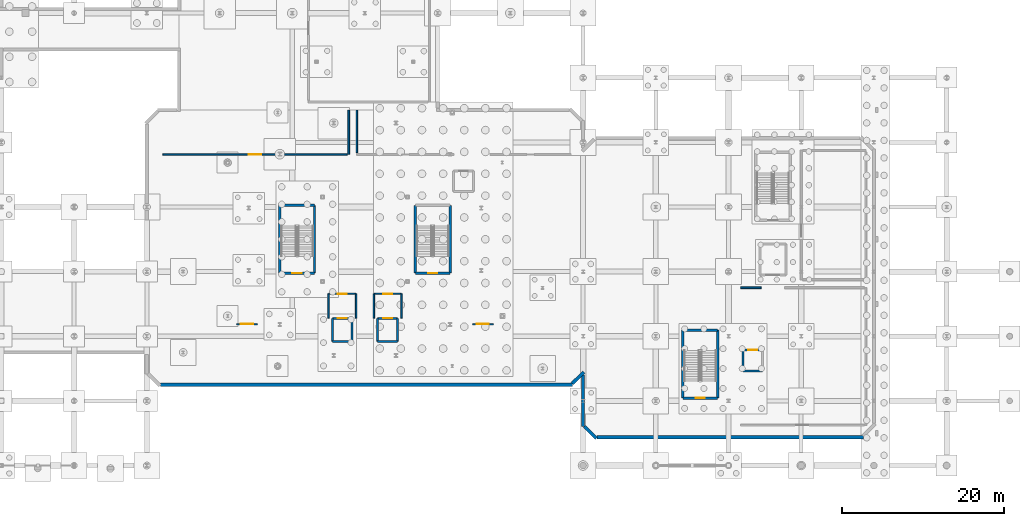
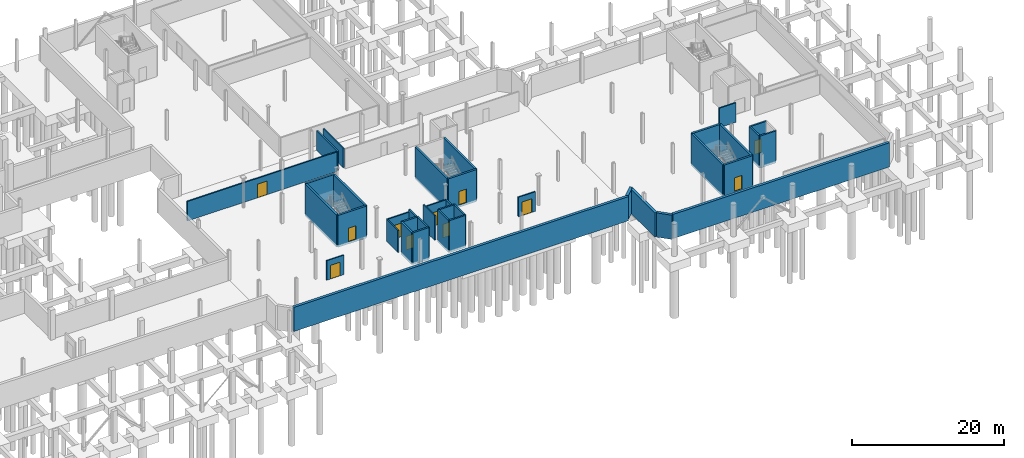
# One storey, part 26 of 37: 39 walls, 11 doors, 11 openings.
"""IFC4 building model written with IfcOpenShell, lengths in metres."""

import ifcopenshell
import ifcopenshell.guid

model = None  # the IFC model being written
_history = None  # IfcOwnerHistory: only IFC2X3 demands one
_inside = {}  # id of a spatial element -> (the spatial element, [elements in it])
_under = {}  # id of a project, library or spatial element -> (it, [spatial elements below it])
_declared = {}  # id of a project -> (the project, [libraries it declares])
_typed = {}  # id of a type object -> (the type object, [elements of that type])
_made_of = {}  # id of a material, layer set ... -> (it, [elements and type objects made of it])


def new_model(schema):
    """Start an empty IFC model of exactly this schema.

    Asked for "IFC4X3", IfcOpenShell would pick the latest addendum, in which some entities
    have other attributes; the version numbers below select the first issue.
    IFC2X3 requires an IfcOwnerHistory on every rooted entity: one is made here for all.
    """
    global model, _history
    if schema == "IFC4X3":
        model = ifcopenshell.file(schema_version=(4, 3, 0, 0))
    else:
        model = ifcopenshell.file(schema=schema)
    _inside.clear()
    _under.clear()
    _declared.clear()
    _typed.clear()
    _made_of.clear()
    _history = None
    if model.schema == "IFC2X3":
        org = make("IfcOrganization", Name="unknown")
        user = make(
            "IfcPersonAndOrganization",
            ThePerson=make("IfcPerson", FamilyName="unknown"),
            TheOrganization=org,
        )
        app = make(
            "IfcApplication",
            ApplicationDeveloper=org,
            Version="unknown",
            ApplicationFullName="unknown",
            ApplicationIdentifier="unknown",
        )
        _history = make(
            "IfcOwnerHistory",
            OwningUser=user,
            OwningApplication=app,
            ChangeAction="ADDED",
            CreationDate=0,
        )
    return model


def make(cls, **values):
    """One entity of the class cls with the attributes given. An attribute that is None is left unset."""
    return model.create_entity(
        cls, **{name: value for name, value in values.items() if value is not None}
    )


def rooted(cls, **values):
    """An entity with a GlobalId (a new one), such as an element, a storey or a relation."""
    return make(cls, GlobalId=ifcopenshell.guid.new(), OwnerHistory=_history, **values)


def si_unit(unit_type, name, prefix=None):
    """IfcSIUnit, for example si_unit("LENGTHUNIT", "METRE", prefix="MILLI")."""
    return make("IfcSIUnit", UnitType=unit_type, Prefix=prefix, Name=name)


def assignment(units):
    """IfcUnitAssignment: the units of a project."""
    return None if units is None else make("IfcUnitAssignment", Units=units)


def point(xyz):
    """IfcCartesianPoint."""
    return None if xyz is None else make("IfcCartesianPoint", Coordinates=xyz)


def direction(xyz):
    """IfcDirection."""
    return None if xyz is None else make("IfcDirection", DirectionRatios=xyz)


def frame(location, z_axis=None, x_axis=None):
    """IfcAxis2Placement3D, a coordinate frame: its origin and axes. An axis left out is left unset."""
    return make(
        "IfcAxis2Placement3D",
        Location=point(location),
        Axis=direction(z_axis),
        RefDirection=direction(x_axis),
    )


def frame_2d(location, x_axis=None):
    """IfcAxis2Placement2D, a coordinate frame in the plane: its origin and x axis."""
    return make(
        "IfcAxis2Placement2D", Location=point(location), RefDirection=direction(x_axis)
    )


def origin():
    """The frame at (0, 0, 0) with its axes left unset."""
    return frame((0.0, 0.0, 0.0))


def place(relative_to, where):
    """IfcLocalPlacement: puts the frame where relative to a parent placement (None: the world)."""
    return make(
        "IfcLocalPlacement", PlacementRelTo=relative_to, RelativePlacement=where
    )


def context(
    kind, dimensions, precision=None, world=None, true_north=None, identifier=None
):
    """IfcGeometricRepresentationContext, for example the 3D "Model" context."""
    return make(
        "IfcGeometricRepresentationContext",
        ContextIdentifier=identifier,
        ContextType=kind,
        CoordinateSpaceDimension=dimensions,
        Precision=precision,
        WorldCoordinateSystem=world,
        TrueNorth=true_north,
    )


def subcontext(parent, identifier, kind, view, scale=None):
    """IfcGeometricRepresentationSubContext, for example "Body" below "Model"."""
    return make(
        "IfcGeometricRepresentationSubContext",
        ContextIdentifier=identifier,
        ContextType=kind,
        ParentContext=parent,
        TargetScale=scale,
        TargetView=view,
    )


def project(units=None, contexts=None):
    """IfcProject with its units and contexts."""
    return rooted(
        "IfcProject",
        Name="project",
        RepresentationContexts=contexts,
        UnitsInContext=assignment(units),
    )


def spatial(cls, under=None, at=None, **own):
    """A site, building, storey or space (cls), placed at a placement, below another one or the project."""
    s = rooted(cls, ObjectPlacement=at, **own)
    if under is not None:
        _under.setdefault(under.id(), (under, []))[1].append(s)
    return s


def profile(cls, at=None, kind="AREA", **sizes):
    """A parametric profile (cls). Its sizes go by their IFC names, for example OverallWidth=200.0."""
    return make(cls, ProfileType=kind, Position=at, **sizes)


def rectangle(**sizes):
    """IfcRectangleProfileDef."""
    return profile("IfcRectangleProfileDef", **sizes)


def extrude(swept, where, along, depth):
    """IfcExtrudedAreaSolid: the profile swept, set in the frame where, extruded along a direction by depth."""
    return make(
        "IfcExtrudedAreaSolid",
        SweptArea=swept,
        Position=where,
        ExtrudedDirection=direction(along),
        Depth=depth,
    )


def shape(context_of_items, identifier, shape_type, items):
    """IfcShapeRepresentation: the items that make up one representation, for example the "Body"."""
    return make(
        "IfcShapeRepresentation",
        ContextOfItems=context_of_items,
        RepresentationIdentifier=identifier,
        RepresentationType=shape_type,
        Items=items,
    )


def material(Name=None, Category=None):
    """IfcMaterial."""
    return make("IfcMaterial", Name=Name, Category=Category)


def layer(
    of_material, thickness, ventilated=None, Name=None, Category=None, Priority=None
):
    """IfcMaterialLayer: one layer of a wall or slab, of a material (None: an air gap)."""
    return make(
        "IfcMaterialLayer",
        Material=of_material,
        LayerThickness=thickness,
        IsVentilated=ventilated,
        Name=Name,
        Category=Category,
        Priority=Priority,
    )


def layer_set(layers, Name=None):
    """IfcMaterialLayerSet."""
    return make("IfcMaterialLayerSet", MaterialLayers=layers, LayerSetName=Name)


def made_of(thing, what):
    """Note that an element or type object is made of a material, layer set ...; save() writes the relation."""
    if what is not None:
        _made_of.setdefault(what.id(), (what, []))[1].append(thing)
    return thing


def type_object(cls, material=None, **own):
    """A type object (cls), such as IfcWallType, which elements share."""
    return made_of(rooted(cls, **own), material)


def element(
    cls,
    number,
    at=None,
    inside=None,
    cuts=None,
    type_object=None,
    material=None,
    context=None,
    identifier="Body",
    shape_type=None,
    held_by="IfcProductDefinitionShape",
    body=None,
    shapes=None,
    **own,
):
    """One element of the class cls, such as IfcWall. Its Tag is "e" and its number.

    at: its placement. inside: the storey or other place that contains it. cuts: it is an
    opening in that element (IfcRelVoidsElement). A single representation is given by context,
    identifier, shape_type and body (its items); several are given by shapes. held_by: the class
    of the entity that holds the representations. save() writes the other relations.
    """
    e = rooted(cls, Tag="e%d" % number, ObjectPlacement=at, **own)
    if body is not None:
        shapes = [shape(context, identifier, shape_type, body)]
    if shapes is not None:
        e.Representation = make(held_by, Representations=shapes)
    if inside is not None:
        _inside.setdefault(inside.id(), (inside, []))[1].append(e)
    if cuts is not None:
        rooted(
            "IfcRelVoidsElement", RelatingBuildingElement=cuts, RelatedOpeningElement=e
        )
    if type_object is not None:
        _typed.setdefault(type_object.id(), (type_object, []))[1].append(e)
    return made_of(e, material)


def fill(opening, filler):
    """IfcRelFillsElement: the door or window that sits in an opening."""
    return rooted(
        "IfcRelFillsElement",
        RelatingOpeningElement=opening,
        RelatedBuildingElement=filler,
    )


def aggregate(whole, parts):
    """IfcRelAggregates: a whole, such as a stair, and the parts it consists of."""
    return rooted("IfcRelAggregates", RelatingObject=whole, RelatedObjects=parts)


def save(model, path):
    """Write the relations noted so far, then the file.

    IfcRelAggregates (storeys below a building ...), IfcRelContainedInSpatialStructure (elements
    in a storey), IfcRelDefinesByType, IfcRelAssociatesMaterial and IfcRelDeclares: one each for
    every whole, place, type object, material and project.
    """
    for whole, parts in _under.values():
        aggregate(whole, parts)
    for where, things in _inside.values():
        rooted(
            "IfcRelContainedInSpatialStructure",
            RelatedElements=things,
            RelatingStructure=where,
        )
    for kind, things in _typed.values():
        rooted("IfcRelDefinesByType", RelatedObjects=things, RelatingType=kind)
    for what, things in _made_of.values():
        rooted("IfcRelAssociatesMaterial", RelatedObjects=things, RelatingMaterial=what)
    for by, libraries in _declared.values():
        rooted("IfcRelDeclares", RelatingContext=by, RelatedDefinitions=libraries)
    model.write(path)


model = new_model("IFC4")

# Units and contexts
model_context = context("Model", 3, precision=1e-05, world=origin(), true_north=direction((0.0, 1.0)))
body_context = subcontext(model_context, "Body", "Model", "MODEL_VIEW")
ifc_project = project(units=[si_unit("LENGTHUNIT", "METRE"), si_unit("AREAUNIT", "SQUARE_METRE"), si_unit("VOLUMEUNIT", "CUBIC_METRE"), si_unit("PLANEANGLEUNIT", "RADIAN"), si_unit("MASSUNIT", "GRAM", prefix="KILO"), si_unit("THERMODYNAMICTEMPERATUREUNIT", "KELVIN"), si_unit("POWERUNIT", "WATT")], contexts=[model_context])

# Site, building, storey
site_placement = place(None, origin())
site = spatial("IfcSite", under=ifc_project, at=site_placement, CompositionType="ELEMENT")
building_placement = place(site_placement, origin())
building = spatial("IfcBuilding", under=site, at=building_placement, Name="Zelmaris Science Centre", CompositionType="ELEMENT")
storey_placement = place(building_placement, frame((0.0, 0.0, -4.800048828125)))
storey = spatial("IfcBuildingStorey", under=building, at=storey_placement, Name="B1", CompositionType="ELEMENT", Elevation=-4.800048828125)

# Wall, opening, door
ifc_material_1 = material(Name="Concrete C40/50", Category="concrete")
ifc_layer_1 = layer(ifc_material_1, 0.300048828125, Name="Concrete C40/50")
ifc_layer_set_1 = layer_set([ifc_layer_1], Name="Concrete C40/50")
wall_type_1 = type_object("IfcWallType", Name="Core Shear Wall CW-S1 300mm", PredefinedType="SOLIDWALL", material=ifc_layer_set_1)
wall_1_placement = place(storey_placement, frame((74.75, 31.800048828125, -0.349853515625), z_axis=(0.0, 0.0, 1.0), x_axis=(-1.0, 0.0, 0.0)))
wall_1 = element("IfcWall", 1, at=wall_1_placement, inside=storey, type_object=wall_type_1, Name="B1 ST-1 core shear wall near", PredefinedType="SOLIDWALL", context=body_context, shape_type="SweptSolid", body=[
    extrude(rectangle(XDim=4.300048828125, YDim=0.300048828125, at=frame_2d((2.14990234375, 0.0))), origin(), (0.0, 0.0, 1.0), 5.14990234375),
])
opening_1_placement = place(wall_1_placement, frame((1.574951171875, 0.0, 0.35009765625)))
opening_1 = element("IfcOpeningElement", 2, at=opening_1_placement, cuts=wall_1, Name="Opening D-FD90", PredefinedType="OPENING", context=body_context, shape_type="SweptSolid", body=[
    extrude(rectangle(XDim=1.14990234375, YDim=2.199951171875, at=frame_2d((0.574951171875, 1.10009765625))), frame((0.0, 0.159912109375, 0.0), z_axis=(0.0, -1.0, 0.0), x_axis=(1.0, 0.0, 0.0)), (0.0, 0.0, 1.0), 0.320068359375),
])
ifc_material_2 = material(Name="Steel ASTM A36", Category="steel")
door_type_1 = type_object("IfcDoorType", Name="Interior Door D-FD90 1150x2200", OperationType="NOTDEFINED", PredefinedType="DOOR", material=ifc_material_2)
door_1_placement = place(opening_1_placement, origin())
door_1 = element("IfcDoor", 3, at=door_1_placement, inside=storey, type_object=door_type_1, Name="B1 ST-1 exit stair fire door", OperationType="SINGLE_SWING_LEFT", OverallHeight=2.199951171875, OverallWidth=1.14990234375, PredefinedType="DOOR", context=body_context, shape_type="SweptSolid", body=[
    extrude(rectangle(XDim=1.14990234375, YDim=2.199951171875, at=frame_2d((0.574951171875, 1.10009765625))), frame((0.0, 0.02490234375, 0.0), z_axis=(0.0, -1.0, 0.0), x_axis=(1.0, 0.0, 0.0)), (0.0, 0.0, 1.0), 0.050048828125),
])
fill(opening_1, door_1)

# Walls
wall_2_placement = place(storey_placement, frame((74.75, 31.800048828125, -0.349853515625), z_axis=(0.0, 0.0, 1.0), x_axis=(0.0, 1.0, 0.0)))
element("IfcWall", 4, at=wall_2_placement, inside=storey, type_object=wall_type_1, Name="B1 ST-1 core shear wall east", PredefinedType="SOLIDWALL", context=body_context, shape_type="SweptSolid", body=[
    extrude(rectangle(XDim=8.39990234375, YDim=0.300048828125, at=frame_2d((4.199951171875, 0.0))), origin(), (0.0, 0.0, 1.0), 5.14990234375),
])
wall_3_placement = place(storey_placement, frame((74.75, 40.199951171875, -0.349853515625), z_axis=(0.0, 0.0, 1.0), x_axis=(-1.0, 0.0, 0.0)))
element("IfcWall", 5, at=wall_3_placement, inside=storey, type_object=wall_type_1, Name="B1 ST-1 core shear wall far", PredefinedType="SOLIDWALL", context=body_context, shape_type="SweptSolid", body=[
    extrude(rectangle(XDim=4.300048828125, YDim=0.300048828125, at=frame_2d((2.14990234375, 0.0))), origin(), (0.0, 0.0, 1.0), 5.14990234375),
])
wall_4_placement = place(storey_placement, frame((70.449951171875, 31.800048828125, -0.349853515625), z_axis=(0.0, 0.0, 1.0), x_axis=(0.0, 1.0, 0.0)))
element("IfcWall", 6, at=wall_4_placement, inside=storey, type_object=wall_type_1, Name="B1 ST-1 core shear wall west", PredefinedType="SOLIDWALL", context=body_context, shape_type="SweptSolid", body=[
    extrude(rectangle(XDim=8.39990234375, YDim=0.300048828125, at=frame_2d((4.199951171875, 0.0))), origin(), (0.0, 0.0, 1.0), 5.14990234375),
])

# Wall, opening, door
wall_5_placement = place(storey_placement, frame((91.550048828125, 31.800048828125, -0.349853515625), z_axis=(0.0, 0.0, 1.0), x_axis=(-1.0, 0.0, 0.0)))
wall_5 = element("IfcWall", 7, at=wall_5_placement, inside=storey, type_object=wall_type_1, Name="B1 ST-2 core shear wall near", PredefinedType="SOLIDWALL", context=body_context, shape_type="SweptSolid", body=[
    extrude(rectangle(XDim=4.300048828125, YDim=0.300048828125, at=frame_2d((2.14990234375, 0.0))), origin(), (0.0, 0.0, 1.0), 5.14990234375),
])
opening_2_placement = place(wall_5_placement, frame((1.574951171875, 0.0, 0.35009765625)))
opening_2 = element("IfcOpeningElement", 8, at=opening_2_placement, cuts=wall_5, Name="Opening D-FD90", PredefinedType="OPENING", context=body_context, shape_type="SweptSolid", body=[
    extrude(rectangle(XDim=1.14990234375, YDim=2.199951171875, at=frame_2d((0.574951171875, 1.10009765625))), frame((0.0, 0.159912109375, 0.0), z_axis=(0.0, -1.0, 0.0), x_axis=(1.0, 0.0, 0.0)), (0.0, 0.0, 1.0), 0.320068359375),
])
door_2_placement = place(opening_2_placement, origin())
door_2 = element("IfcDoor", 9, at=door_2_placement, inside=storey, type_object=door_type_1, Name="B1 ST-2 exit stair fire door", OperationType="SINGLE_SWING_RIGHT", OverallHeight=2.199951171875, OverallWidth=1.14990234375, PredefinedType="DOOR", context=body_context, shape_type="SweptSolid", body=[
    extrude(rectangle(XDim=1.14990234375, YDim=2.199951171875, at=frame_2d((0.574951171875, 1.10009765625))), frame((0.0, 0.02490234375, 0.0), z_axis=(0.0, -1.0, 0.0), x_axis=(1.0, 0.0, 0.0)), (0.0, 0.0, 1.0), 0.050048828125),
])
fill(opening_2, door_2)

# Walls
for number, where, z_axis, x_axis, name in (
    (10, (91.550048828125, 31.800048828125, -0.349853515625), (0.0, 0.0, 1.0), (0.0, 1.0, 0.0), "B1 ST-2 core shear wall east"),
    (11, (87.25, 31.800048828125, -0.349853515625), (0.0, 0.0, 1.0), (0.0, 1.0, 0.0), "B1 ST-2 core shear wall west"),
):
    element("IfcWall", number, at=place(storey_placement, frame(where, z_axis=z_axis, x_axis=x_axis)), inside=storey, type_object=wall_type_1, Name=name, PredefinedType="SOLIDWALL", context=body_context, shape_type="SweptSolid", body=[
        extrude(rectangle(XDim=8.39990234375, YDim=0.300048828125, at=frame_2d((4.199951171875, 0.0))), origin(), (0.0, 0.0, 1.0), 5.14990234375),
    ])

# Wall, opening, door
wall_6_placement = place(storey_placement, frame((124.64990234375, 16.35009765625, -0.349853515625), z_axis=(0.0, 0.0, 1.0), x_axis=(-1.0, 0.0, 0.0)))
wall_6 = element("IfcWall", 12, at=wall_6_placement, inside=storey, type_object=wall_type_1, Name="B1 ST-4 core shear wall near", PredefinedType="SOLIDWALL", context=body_context, shape_type="SweptSolid", body=[
    extrude(rectangle(XDim=4.2998046875, YDim=0.300048828125, at=frame_2d((2.14990234375, 0.0))), origin(), (0.0, 0.0, 1.0), 5.14990234375),
])
opening_3_placement = place(wall_6_placement, frame((1.574951171875, 0.0, 0.35009765625)))
opening_3 = element("IfcOpeningElement", 13, at=opening_3_placement, cuts=wall_6, Name="Opening D-FD90", PredefinedType="OPENING", context=body_context, shape_type="SweptSolid", body=[
    extrude(rectangle(XDim=1.14990234375, YDim=2.199951171875, at=frame_2d((0.574951171875, 1.10009765625))), frame((0.0, 0.159912109375, 0.0), z_axis=(0.0, -1.0, 0.0), x_axis=(1.0, 0.0, 0.0)), (0.0, 0.0, 1.0), 0.320068359375),
])
door_3_placement = place(opening_3_placement, origin())
door_3 = element("IfcDoor", 14, at=door_3_placement, inside=storey, type_object=door_type_1, Name="B1 ST-4 exit stair fire door", OperationType="SINGLE_SWING_RIGHT", OverallHeight=2.199951171875, OverallWidth=1.14990234375, PredefinedType="DOOR", context=body_context, shape_type="SweptSolid", body=[
    extrude(rectangle(XDim=1.14990234375, YDim=2.199951171875, at=frame_2d((0.574951171875, 1.10009765625))), frame((0.0, 0.02490234375, 0.0), z_axis=(0.0, -1.0, 0.0), x_axis=(1.0, 0.0, 0.0)), (0.0, 0.0, 1.0), 0.050048828125),
])
fill(opening_3, door_3)

# Walls
wall_7_placement = place(storey_placement, frame((124.64990234375, 16.35009765625, -0.349853515625), z_axis=(0.0, 0.0, 1.0), x_axis=(0.0, 1.0, 0.0)))
element("IfcWall", 15, at=wall_7_placement, inside=storey, type_object=wall_type_1, Name="B1 ST-4 core shear wall east", PredefinedType="SOLIDWALL", context=body_context, shape_type="SweptSolid", body=[
    extrude(rectangle(XDim=8.39990234375, YDim=0.300048828125, at=frame_2d((4.199951171875, 0.0))), origin(), (0.0, 0.0, 1.0), 5.14990234375),
])
wall_8_placement = place(storey_placement, frame((124.64990234375, 24.75, -0.349853515625), z_axis=(0.0, 0.0, 1.0), x_axis=(-1.0, 0.0, 0.0)))
element("IfcWall", 16, at=wall_8_placement, inside=storey, type_object=wall_type_1, Name="B1 ST-4 core shear wall far", PredefinedType="SOLIDWALL", context=body_context, shape_type="SweptSolid", body=[
    extrude(rectangle(XDim=4.2998046875, YDim=0.300048828125, at=frame_2d((2.14990234375, 0.0))), origin(), (0.0, 0.0, 1.0), 5.14990234375),
])
wall_9_placement = place(storey_placement, frame((120.35009765625, 16.35009765625, -0.349853515625), z_axis=(0.0, 0.0, 1.0), x_axis=(0.0, 1.0, 0.0)))
element("IfcWall", 17, at=wall_9_placement, inside=storey, type_object=wall_type_1, Name="B1 ST-4 core shear wall west", PredefinedType="SOLIDWALL", context=body_context, shape_type="SweptSolid", body=[
    extrude(rectangle(XDim=8.39990234375, YDim=0.300048828125, at=frame_2d((4.199951171875, 0.0))), origin(), (0.0, 0.0, 1.0), 5.14990234375),
])
ifc_layer_2 = layer(ifc_material_1, 0.25, Name="Concrete C40/50")
ifc_layer_set_2 = layer_set([ifc_layer_2], Name="Concrete C40/50")
wall_type_2 = type_object("IfcWallType", Name="Core Shear Wall CW-S2 250mm", PredefinedType="SOLIDWALL", material=ifc_layer_set_2)
wall_10_placement = place(storey_placement, frame((76.97509765625, 23.375, -0.349853515625), z_axis=(0.0, 0.0, 1.0), x_axis=(1.0, 0.0, 0.0)))
element("IfcWall", 18, at=wall_10_placement, inside=storey, type_object=wall_type_2, Name="B1 FL-01 lift shaft wall -y", PredefinedType="SOLIDWALL", context=body_context, shape_type="SweptSolid", body=[
    extrude(rectangle(XDim=2.449951171875, YDim=0.25, at=frame_2d((1.22509765625, 0.0))), origin(), (0.0, 0.0, 1.0), 5.14990234375),
])
wall_11_placement = place(storey_placement, frame((79.425048828125, 23.375, -0.349853515625), z_axis=(0.0, 0.0, 1.0), x_axis=(0.0, 1.0, 0.0)))
element("IfcWall", 19, at=wall_11_placement, inside=storey, type_object=wall_type_2, Name="B1 FL-01 lift shaft wall +x", PredefinedType="SOLIDWALL", context=body_context, shape_type="SweptSolid", body=[
    extrude(rectangle(XDim=2.85009765625, YDim=0.25, at=frame_2d((1.425048828125, 0.0))), origin(), (0.0, 0.0, 1.0), 5.14990234375),
])

# Wall, opening, door
wall_12_placement = place(storey_placement, frame((79.425048828125, 26.22509765625, -0.349853515625), z_axis=(0.0, 0.0, 1.0), x_axis=(-1.0, 0.0, 0.0)))
wall_12 = element("IfcWall", 20, at=wall_12_placement, inside=storey, type_object=wall_type_2, Name="B1 FL-01 lift shaft wall +y", PredefinedType="SOLIDWALL", context=body_context, shape_type="SweptSolid", body=[
    extrude(rectangle(XDim=2.449951171875, YDim=0.25, at=frame_2d((1.22509765625, 0.0))), origin(), (0.0, 0.0, 1.0), 5.14990234375),
])
opening_4_placement = place(wall_12_placement, frame((0.675048828125, 0.0, 0.35009765625)))
opening_4 = element("IfcOpeningElement", 21, at=opening_4_placement, cuts=wall_12, Name="Opening LD-01", PredefinedType="OPENING", context=body_context, shape_type="SweptSolid", body=[
    extrude(rectangle(XDim=1.10009765625, YDim=2.199951171875, at=frame_2d((0.550048828125, 1.10009765625))), frame((0.0, 0.135009765625, 0.0), z_axis=(0.0, -1.0, 0.0), x_axis=(1.0, 0.0, 0.0)), (0.0, 0.0, 1.0), 0.27001953125),
])
door_type_2 = type_object("IfcDoorType", Name="Interior Door LD-01 1100x2200", OperationType="SLIDING_TO_LEFT", PredefinedType="DOOR", material=ifc_material_2)
door_4_placement = place(opening_4_placement, origin())
door_4 = element("IfcDoor", 22, at=door_4_placement, inside=storey, type_object=door_type_2, Name="Landing door LD-FL-01-B1", OperationType="SLIDING_TO_LEFT", OverallHeight=2.199951171875, OverallWidth=1.10009765625, PredefinedType="DOOR", context=body_context, shape_type="SweptSolid", body=[
    extrude(rectangle(XDim=1.10009765625, YDim=2.199951171875, at=frame_2d((0.550048828125, 1.10009765625))), frame((0.0, 0.02490234375, 0.0), z_axis=(0.0, -1.0, 0.0), x_axis=(1.0, 0.0, 0.0)), (0.0, 0.0, 1.0), 0.050048828125),
])
fill(opening_4, door_4)

# Walls
wall_13_placement = place(storey_placement, frame((76.97509765625, 26.22509765625, -0.349853515625), z_axis=(0.0, 0.0, 1.0), x_axis=(0.0, -1.0, 0.0)))
element("IfcWall", 23, at=wall_13_placement, inside=storey, type_object=wall_type_2, Name="B1 FL-01 lift shaft wall -x", PredefinedType="SOLIDWALL", context=body_context, shape_type="SweptSolid", body=[
    extrude(rectangle(XDim=2.85009765625, YDim=0.25, at=frame_2d((1.425048828125, 0.0))), origin(), (0.0, 0.0, 1.0), 5.14990234375),
])
wall_14_placement = place(storey_placement, frame((82.574951171875, 23.375, -0.349853515625), z_axis=(0.0, 0.0, 1.0), x_axis=(1.0, 0.0, 0.0)))
element("IfcWall", 24, at=wall_14_placement, inside=storey, type_object=wall_type_2, Name="B1 FL-02 lift shaft wall -y", PredefinedType="SOLIDWALL", context=body_context, shape_type="SweptSolid", body=[
    extrude(rectangle(XDim=2.449951171875, YDim=0.25, at=frame_2d((1.22509765625, 0.0))), origin(), (0.0, 0.0, 1.0), 5.14990234375),
])
wall_15_placement = place(storey_placement, frame((85.02490234375, 23.375, -0.349853515625), z_axis=(0.0, 0.0, 1.0), x_axis=(0.0, 1.0, 0.0)))
element("IfcWall", 25, at=wall_15_placement, inside=storey, type_object=wall_type_2, Name="B1 FL-02 lift shaft wall +x", PredefinedType="SOLIDWALL", context=body_context, shape_type="SweptSolid", body=[
    extrude(rectangle(XDim=2.85009765625, YDim=0.25, at=frame_2d((1.425048828125, 0.0))), origin(), (0.0, 0.0, 1.0), 5.14990234375),
])

# Wall, opening, door
wall_16_placement = place(storey_placement, frame((85.02490234375, 26.22509765625, -0.349853515625), z_axis=(0.0, 0.0, 1.0), x_axis=(-1.0, 0.0, 0.0)))
wall_16 = element("IfcWall", 26, at=wall_16_placement, inside=storey, type_object=wall_type_2, Name="B1 FL-02 lift shaft wall +y", PredefinedType="SOLIDWALL", context=body_context, shape_type="SweptSolid", body=[
    extrude(rectangle(XDim=2.449951171875, YDim=0.25, at=frame_2d((1.22509765625, 0.0))), origin(), (0.0, 0.0, 1.0), 5.14990234375),
])
opening_5_placement = place(wall_16_placement, frame((0.675048828125, 0.0, 0.35009765625)))
opening_5 = element("IfcOpeningElement", 27, at=opening_5_placement, cuts=wall_16, Name="Opening LD-01", PredefinedType="OPENING", context=body_context, shape_type="SweptSolid", body=[
    extrude(rectangle(XDim=1.10009765625, YDim=2.199951171875, at=frame_2d((0.550048828125, 1.10009765625))), frame((0.0, 0.135009765625, 0.0), z_axis=(0.0, -1.0, 0.0), x_axis=(1.0, 0.0, 0.0)), (0.0, 0.0, 1.0), 0.27001953125),
])
door_5_placement = place(opening_5_placement, origin())
door_5 = element("IfcDoor", 28, at=door_5_placement, inside=storey, type_object=door_type_2, Name="Landing door LD-FL-02-B1", OperationType="SLIDING_TO_LEFT", OverallHeight=2.199951171875, OverallWidth=1.10009765625, PredefinedType="DOOR", context=body_context, shape_type="SweptSolid", body=[
    extrude(rectangle(XDim=1.10009765625, YDim=2.199951171875, at=frame_2d((0.550048828125, 1.10009765625))), frame((0.0, 0.02490234375, 0.0), z_axis=(0.0, -1.0, 0.0), x_axis=(1.0, 0.0, 0.0)), (0.0, 0.0, 1.0), 0.050048828125),
])
fill(opening_5, door_5)

# Walls
wall_17_placement = place(storey_placement, frame((82.574951171875, 26.22509765625, -0.349853515625), z_axis=(0.0, 0.0, 1.0), x_axis=(0.0, -1.0, 0.0)))
element("IfcWall", 29, at=wall_17_placement, inside=storey, type_object=wall_type_2, Name="B1 FL-02 lift shaft wall -x", PredefinedType="SOLIDWALL", context=body_context, shape_type="SweptSolid", body=[
    extrude(rectangle(XDim=2.85009765625, YDim=0.25, at=frame_2d((1.425048828125, 0.0))), origin(), (0.0, 0.0, 1.0), 5.14990234375),
])
wall_18_placement = place(storey_placement, frame((127.77490234375, 19.72509765625, -0.349853515625), z_axis=(0.0, 0.0, 1.0), x_axis=(1.0, 0.0, 0.0)))
element("IfcWall", 30, at=wall_18_placement, inside=storey, type_object=wall_type_2, Name="B1 LP-02 lift shaft wall -y", PredefinedType="SOLIDWALL", context=body_context, shape_type="SweptSolid", body=[
    extrude(rectangle(XDim=2.4501953125, YDim=0.25, at=frame_2d((1.22509765625, 0.0))), origin(), (0.0, 0.0, 1.0), 5.14990234375),
])

# Wall, opening, door
wall_19_placement = place(storey_placement, frame((130.22509765625, 22.27490234375, -0.349853515625), z_axis=(0.0, 0.0, 1.0), x_axis=(-1.0, 0.0, 0.0)))
wall_19 = element("IfcWall", 31, at=wall_19_placement, inside=storey, type_object=wall_type_2, Name="B1 LP-02 lift shaft wall +y", PredefinedType="SOLIDWALL", context=body_context, shape_type="SweptSolid", body=[
    extrude(rectangle(XDim=2.4501953125, YDim=0.25, at=frame_2d((1.22509765625, 0.0))), origin(), (0.0, 0.0, 1.0), 5.14990234375),
])
opening_6_placement = place(wall_19_placement, frame((0.675048828125, 0.0, 0.35009765625)))
opening_6 = element("IfcOpeningElement", 32, at=opening_6_placement, cuts=wall_19, Name="Opening LD-01", PredefinedType="OPENING", context=body_context, shape_type="SweptSolid", body=[
    extrude(rectangle(XDim=1.10009765625, YDim=2.199951171875, at=frame_2d((0.550048828125, 1.10009765625))), frame((0.0, 0.135009765625, 0.0), z_axis=(0.0, -1.0, 0.0), x_axis=(1.0, 0.0, 0.0)), (0.0, 0.0, 1.0), 0.27001953125),
])
door_6_placement = place(opening_6_placement, origin())
door_6 = element("IfcDoor", 33, at=door_6_placement, inside=storey, type_object=door_type_2, Name="Landing door LD-LP-02-B1", OperationType="SLIDING_TO_LEFT", OverallHeight=2.199951171875, OverallWidth=1.10009765625, PredefinedType="DOOR", context=body_context, shape_type="SweptSolid", body=[
    extrude(rectangle(XDim=1.10009765625, YDim=2.199951171875, at=frame_2d((0.550048828125, 1.10009765625))), frame((0.0, 0.02490234375, 0.0), z_axis=(0.0, -1.0, 0.0), x_axis=(1.0, 0.0, 0.0)), (0.0, 0.0, 1.0), 0.050048828125),
])
fill(opening_6, door_6)

# Walls
wall_20_placement = place(storey_placement, frame((127.77490234375, 22.27490234375, -0.349853515625), z_axis=(0.0, 0.0, 1.0), x_axis=(0.0, -1.0, 0.0)))
element("IfcWall", 34, at=wall_20_placement, inside=storey, type_object=wall_type_2, Name="B1 LP-02 lift shaft wall -x", PredefinedType="SOLIDWALL", context=body_context, shape_type="SweptSolid", body=[
    extrude(rectangle(XDim=2.5498046875, YDim=0.25, at=frame_2d((1.27490234375, 0.0))), origin(), (0.0, 0.0, 1.0), 5.14990234375),
])
ifc_material_3 = material(Name="Autoclaved aerated concrete blockwork", Category="masonry")
ifc_layer_3 = layer(ifc_material_3, 0.199951171875, Name="Autoclaved aerated concrete blockwork")
ifc_layer_set_3 = layer_set([ifc_layer_3], Name="Autoclaved aerated concrete blockwork")
wall_type_3 = type_object("IfcWallType", Name="Interior Wall FW-01 200mm", PredefinedType="SOLIDWALL", material=ifc_layer_set_3)
wall_21_placement = place(storey_placement, frame((76.5, 26.25, 0.0), z_axis=(0.0, 0.0, 1.0), x_axis=(0.0, 1.0, 0.0)))
element("IfcWall", 35, at=wall_21_placement, inside=storey, type_object=wall_type_3, Name="B1 Firefighting Lobby FL-01 wall W", PredefinedType="SOLIDWALL", context=body_context, shape_type="SweptSolid", body=[
    extrude(rectangle(XDim=3.0, YDim=0.199951171875, at=frame_2d((1.5, 0.0))), origin(), (0.0, 0.0, 1.0), 3.56396484375),
])
wall_22_placement = place(storey_placement, frame((79.89990234375, 26.25, 0.0), z_axis=(0.0, 0.0, 1.0), x_axis=(0.0, 1.0, 0.0)))
element("IfcWall", 36, at=wall_22_placement, inside=storey, type_object=wall_type_3, Name="B1 Firefighting Lobby FL-01 wall E", PredefinedType="SOLIDWALL", context=body_context, shape_type="SweptSolid", body=[
    extrude(rectangle(XDim=3.0, YDim=0.199951171875, at=frame_2d((1.5, 0.0))), origin(), (0.0, 0.0, 1.0), 3.969970703125),
])

# Wall, opening, door
wall_23_placement = place(storey_placement, frame((76.5, 29.25, 0.0), z_axis=(0.0, 0.0, 1.0), x_axis=(1.0, 0.0, 0.0)))
wall_23 = element("IfcWall", 37, at=wall_23_placement, inside=storey, type_object=wall_type_3, Name="B1 Firefighting Lobby FL-01 wall N", PredefinedType="SOLIDWALL", context=body_context, shape_type="SweptSolid", body=[
    extrude(rectangle(XDim=3.39990234375, YDim=0.199951171875, at=frame_2d((1.699951171875, 0.0))), origin(), (0.0, 0.0, 1.0), 3.56396484375),
])
opening_7_placement = place(wall_23_placement, frame((1.14990234375, 0.0, 0.0)))
opening_7 = element("IfcOpeningElement", 38, at=opening_7_placement, cuts=wall_23, Name="Opening D-FD60", PredefinedType="OPENING", context=body_context, shape_type="SweptSolid", body=[
    extrude(rectangle(XDim=1.10009765625, YDim=2.199951171875, at=frame_2d((0.550048828125, 1.10009765625))), frame((0.0, 0.10986328125, 0.0), z_axis=(0.0, -1.0, 0.0), x_axis=(1.0, 0.0, 0.0)), (0.0, 0.0, 1.0), 0.219970703125),
])
door_type_3 = type_object("IfcDoorType", Name="Interior Door D-FD60 1100x2200", OperationType="NOTDEFINED", PredefinedType="DOOR", material=ifc_material_2)
door_7_placement = place(opening_7_placement, origin())
door_7 = element("IfcDoor", 39, at=door_7_placement, inside=storey, type_object=door_type_3, Name="B1 Firefighting Lobby FL-01 fire door", OperationType="SINGLE_SWING_LEFT", OverallHeight=2.199951171875, OverallWidth=1.10009765625, PredefinedType="DOOR", context=body_context, shape_type="SweptSolid", body=[
    extrude(rectangle(XDim=1.10009765625, YDim=2.199951171875, at=frame_2d((0.550048828125, 1.10009765625))), frame((0.0, 0.02490234375, 0.0), z_axis=(0.0, -1.0, 0.0), x_axis=(1.0, 0.0, 0.0)), (0.0, 0.0, 1.0), 0.050048828125),
])
fill(opening_7, door_7)

# Walls
wall_24_placement = place(storey_placement, frame((82.10009765625, 26.25, 0.0), z_axis=(0.0, 0.0, 1.0), x_axis=(0.0, 1.0, 0.0)))
element("IfcWall", 40, at=wall_24_placement, inside=storey, type_object=wall_type_3, Name="B1 Firefighting Lobby FL-02 wall W", PredefinedType="SOLIDWALL", context=body_context, shape_type="SweptSolid", body=[
    extrude(rectangle(XDim=3.0, YDim=0.199951171875, at=frame_2d((1.5, 0.0))), origin(), (0.0, 0.0, 1.0), 3.969970703125),
])
wall_25_placement = place(storey_placement, frame((85.5, 26.25, 0.0), z_axis=(0.0, 0.0, 1.0), x_axis=(0.0, 1.0, 0.0)))
element("IfcWall", 41, at=wall_25_placement, inside=storey, type_object=wall_type_3, Name="B1 Firefighting Lobby FL-02 wall E", PredefinedType="SOLIDWALL", context=body_context, shape_type="SweptSolid", body=[
    extrude(rectangle(XDim=3.0, YDim=0.199951171875, at=frame_2d((1.5, 0.0))), origin(), (0.0, 0.0, 1.0), 3.566162109375),
])

# Wall, opening, door
wall_26_placement = place(storey_placement, frame((82.10009765625, 29.25, 0.0), z_axis=(0.0, 0.0, 1.0), x_axis=(1.0, 0.0, 0.0)))
wall_26 = element("IfcWall", 42, at=wall_26_placement, inside=storey, type_object=wall_type_3, Name="B1 Firefighting Lobby FL-02 wall N", PredefinedType="SOLIDWALL", context=body_context, shape_type="SweptSolid", body=[
    extrude(rectangle(XDim=3.39990234375, YDim=0.199951171875, at=frame_2d((1.699951171875, 0.0))), origin(), (0.0, 0.0, 1.0), 3.566162109375),
])
opening_8_placement = place(wall_26_placement, frame((1.14990234375, 0.0, 0.0)))
opening_8 = element("IfcOpeningElement", 43, at=opening_8_placement, cuts=wall_26, Name="Opening D-FD60", PredefinedType="OPENING", context=body_context, shape_type="SweptSolid", body=[
    extrude(rectangle(XDim=1.10009765625, YDim=2.199951171875, at=frame_2d((0.550048828125, 1.10009765625))), frame((0.0, 0.10986328125, 0.0), z_axis=(0.0, -1.0, 0.0), x_axis=(1.0, 0.0, 0.0)), (0.0, 0.0, 1.0), 0.219970703125),
])
door_8_placement = place(opening_8_placement, origin())
door_8 = element("IfcDoor", 44, at=door_8_placement, inside=storey, type_object=door_type_3, Name="B1 Firefighting Lobby FL-02 fire door", OperationType="SINGLE_SWING_RIGHT", OverallHeight=2.199951171875, OverallWidth=1.10009765625, PredefinedType="DOOR", context=body_context, shape_type="SweptSolid", body=[
    extrude(rectangle(XDim=1.10009765625, YDim=2.199951171875, at=frame_2d((0.550048828125, 1.10009765625))), frame((0.0, 0.02490234375, 0.0), z_axis=(0.0, -1.0, 0.0), x_axis=(1.0, 0.0, 0.0)), (0.0, 0.0, 1.0), 0.050048828125),
])
fill(opening_8, door_8)

# Wall
wall_27_placement = place(storey_placement, frame((79.0, 52.0, 0.0), z_axis=(0.0, 0.0, 1.0), x_axis=(0.0, -1.0, 0.0)))
element("IfcWall", 45, at=wall_27_placement, inside=storey, type_object=wall_type_3, Name="B1 Travelling Exhibition Storage Vault partition 1", PredefinedType="SOLIDWALL", context=body_context, shape_type="SweptSolid", body=[
    extrude(rectangle(XDim=5.4951171875, YDim=0.199951171875, at=frame_2d((2.74755859375, 0.0))), origin(), (0.0, 0.0, 1.0), 3.150146484375),
])

# Wall, opening, door
wall_28_placement = place(storey_placement, frame((78.780029296875, 46.5048828125, 0.0), z_axis=(0.0, 0.0, 1.0), x_axis=(-1.0, 0.0, 0.0)))
wall_28 = element("IfcWall", 46, at=wall_28_placement, inside=storey, type_object=wall_type_3, Name="B1 Travelling Exhibition Storage Vault partition 2", PredefinedType="SOLIDWALL", context=body_context, shape_type="SweptSolid", body=[
    extrude(rectangle(XDim=22.780029296875, YDim=0.199951171875, at=frame_2d((11.39013671875, 0.0))), origin(), (0.0, 0.0, 1.0), 3.150146484375),
])
opening_9_placement = place(wall_28_placement, frame((10.639892578125, 0.0, 0.0)))
opening_9 = element("IfcOpeningElement", 47, at=opening_9_placement, cuts=wall_28, Name="Opening D-IN5", PredefinedType="OPENING", context=body_context, shape_type="SweptSolid", body=[
    extrude(rectangle(XDim=1.5, YDim=2.199951171875, at=frame_2d((0.75, 1.10009765625))), frame((0.0, 0.10986328125, 0.0), z_axis=(0.0, -1.0, 0.0), x_axis=(1.0, 0.0, 0.0)), (0.0, 0.0, 1.0), 0.219970703125),
])
door_type_4 = type_object("IfcDoorType", Name="Interior Door D-IN5 1500x2200", OperationType="NOTDEFINED", PredefinedType="DOOR", material=ifc_material_2)
door_9_placement = place(opening_9_placement, origin())
door_9 = element("IfcDoor", 48, at=door_9_placement, inside=storey, type_object=door_type_4, Name="B1 Travelling Exhibition Storage Vault door", OperationType="SINGLE_SWING_LEFT", OverallHeight=2.199951171875, OverallWidth=1.5, PredefinedType="DOOR", context=body_context, shape_type="SweptSolid", body=[
    extrude(rectangle(XDim=1.5, YDim=2.199951171875, at=frame_2d((0.75, 1.10009765625))), frame((0.0, 0.02490234375, 0.0), z_axis=(0.0, -1.0, 0.0), x_axis=(1.0, 0.0, 0.0)), (0.0, 0.0, 1.0), 0.050048828125),
])
fill(opening_9, door_9)

# Walls
wall_29_placement = place(storey_placement, frame((127.5048828125, 30.0, 0.0), z_axis=(0.0, 0.0, 1.0), x_axis=(1.0, 0.0, 0.0)))
element("IfcWall", 49, at=wall_29_placement, inside=storey, type_object=wall_type_3, Name="B1 Exhibit Fabrication Storage Room partition 16", PredefinedType="SOLIDWALL", context=body_context, shape_type="SweptSolid", body=[
    extrude(rectangle(XDim=2.53515625, YDim=0.199951171875, at=frame_2d((1.267578125, 0.0))), origin(), (0.0, 0.0, 1.0), 3.150146484375),
])
ifc_layer_4 = layer(ifc_material_3, 0.179931640625, Name="Autoclaved aerated concrete blockwork")
ifc_layer_set_4 = layer_set([ifc_layer_4], Name="Autoclaved aerated concrete blockwork")
wall_type_4 = type_object("IfcWallType", Name="Interior Wall PT-04 180mm", PredefinedType="PARTITIONING", material=ifc_layer_set_4)
wall_30_placement = place(storey_placement, frame((80.0, 46.72509765625, 0.0), z_axis=(0.0, 0.0, 1.0), x_axis=(0.0, 1.0, 0.0)))
element("IfcWall", 50, at=wall_30_placement, inside=storey, type_object=wall_type_4, Name="B1 Basement Public WC partition 4", PredefinedType="PARTITIONING", context=body_context, shape_type="SweptSolid", body=[
    extrude(rectangle(XDim=5.27490234375, YDim=0.179931640625, at=frame_2d((2.637451171875, 0.0))), origin(), (0.0, 0.0, 1.0), 3.150146484375),
])

# Wall, opening, door
wall_31_placement = place(storey_placement, frame((65.10009765625, 25.4951171875, 0.0), z_axis=(0.0, 0.0, 1.0), x_axis=(1.0, 0.0, 0.0)))
wall_31 = element("IfcWall", 51, at=wall_31_placement, inside=storey, type_object=wall_type_4, Name="B1 Exhibit Crate Storage Vault West entrance partition 24", PredefinedType="PARTITIONING", context=body_context, shape_type="SweptSolid", body=[
    extrude(rectangle(XDim=2.599853515625, YDim=0.179931640625, at=frame_2d((1.2998046875, 0.0))), origin(), (0.0, 0.0, 1.0), 3.150146484375),
])
opening_10_placement = place(wall_31_placement, frame((0.550048828125, 0.0, 0.0)))
opening_10 = element("IfcOpeningElement", 52, at=opening_10_placement, cuts=wall_31, Name="Opening D-IN5", PredefinedType="OPENING", context=body_context, shape_type="SweptSolid", body=[
    extrude(rectangle(XDim=1.5, YDim=2.199951171875, at=frame_2d((0.75, 1.10009765625))), frame((0.0, 0.099853515625, 0.0), z_axis=(0.0, -1.0, 0.0), x_axis=(1.0, 0.0, 0.0)), (0.0, 0.0, 1.0), 0.199951171875),
])
door_10_placement = place(opening_10_placement, origin())
door_10 = element("IfcDoor", 53, at=door_10_placement, inside=storey, type_object=door_type_4, Name="B1 Exhibit Crate Storage Vault West door", OperationType="SINGLE_SWING_LEFT", OverallHeight=2.199951171875, OverallWidth=1.5, PredefinedType="DOOR", context=body_context, shape_type="SweptSolid", body=[
    extrude(rectangle(XDim=1.5, YDim=2.199951171875, at=frame_2d((0.75, 1.10009765625))), frame((0.0, 0.02490234375, 0.0), z_axis=(0.0, -1.0, 0.0), x_axis=(1.0, 0.0, 0.0)), (0.0, 0.0, 1.0), 0.050048828125),
])
fill(opening_10, door_10)

wall_32_placement = place(storey_placement, frame((94.300048828125, 25.4951171875, 0.0), z_axis=(0.0, 0.0, 1.0), x_axis=(1.0, 0.0, 0.0)))
wall_32 = element("IfcWall", 54, at=wall_32_placement, inside=storey, type_object=wall_type_4, Name="B1 Electrical Substation and Emergency Generator Plant entrance partition 25", PredefinedType="PARTITIONING", context=body_context, shape_type="SweptSolid", body=[
    extrude(rectangle(XDim=2.599853515625, YDim=0.179931640625, at=frame_2d((1.2998046875, 0.0))), origin(), (0.0, 0.0, 1.0), 3.150146484375),
])
opening_11_placement = place(wall_32_placement, frame((0.550048828125, 0.0, 0.0)))
opening_11 = element("IfcOpeningElement", 55, at=opening_11_placement, cuts=wall_32, Name="Opening D-IN5", PredefinedType="OPENING", context=body_context, shape_type="SweptSolid", body=[
    extrude(rectangle(XDim=1.5, YDim=2.199951171875, at=frame_2d((0.75, 1.10009765625))), frame((0.0, 0.099853515625, 0.0), z_axis=(0.0, -1.0, 0.0), x_axis=(1.0, 0.0, 0.0)), (0.0, 0.0, 1.0), 0.199951171875),
])
door_11_placement = place(opening_11_placement, origin())
door_11 = element("IfcDoor", 56, at=door_11_placement, inside=storey, type_object=door_type_4, Name="B1 Electrical Substation and Emergency Generator Plant door", OperationType="SINGLE_SWING_RIGHT", OverallHeight=2.199951171875, OverallWidth=1.5, PredefinedType="DOOR", context=body_context, shape_type="SweptSolid", body=[
    extrude(rectangle(XDim=1.5, YDim=2.199951171875, at=frame_2d((0.75, 1.10009765625))), frame((0.0, 0.02490234375, 0.0), z_axis=(0.0, -1.0, 0.0), x_axis=(1.0, 0.0, 0.0)), (0.0, 0.0, 1.0), 0.050048828125),
])
fill(opening_11, door_11)

# Walls
ifc_layer_5 = layer(ifc_material_1, 0.39990234375, Name="Concrete C40/50")
ifc_layer_set_5 = layer_set([ifc_layer_5], Name="Concrete C40/50")
wall_type_5 = type_object("IfcWallType", Name="Retaining Wall RW-01 400mm", PredefinedType="USERDEFINED", material=ifc_layer_set_5)
wall_33_placement = place(storey_placement, frame((142.699951171875, 11.5, -0.349853515625), z_axis=(0.0, 0.0, 1.0), x_axis=(-1.0, 0.0, 0.0)))
element("IfcWall", 57, at=wall_33_placement, inside=storey, type_object=wall_type_5, Name="B1 Perimeter retaining wall 27", ObjectType="RETAININGWALL", PredefinedType="USERDEFINED", context=body_context, shape_type="SweptSolid", body=[
    extrude(rectangle(XDim=33.0, YDim=0.39990234375, at=frame_2d((16.5, 0.0))), origin(), (0.0, 0.0, 1.0), 3.89990234375),
])
wall_34_placement = place(storey_placement, frame((109.641357421875, 11.358642578125, -0.349853515625), z_axis=(0.0, 0.0, 1.0), x_axis=(-0.707049229664, 0.707164328025, 0.0)))
element("IfcWall", 58, at=wall_34_placement, inside=storey, type_object=wall_type_5, Name="B1 Perimeter retaining wall 28", ObjectType="RETAININGWALL", PredefinedType="USERDEFINED", context=body_context, shape_type="SweptSolid", body=[
    extrude(rectangle(XDim=2.12109375, YDim=0.39990234375, at=frame_2d((1.060546875, 0.0))), origin(), (0.0, 0.0, 1.0), 3.89990234375),
])
wall_35_placement = place(storey_placement, frame((108.0, 12.800048828125, -0.349853515625), z_axis=(0.0, 0.0, 1.0), x_axis=(0.0, 1.0, 0.0)))
element("IfcWall", 59, at=wall_35_placement, inside=storey, type_object=wall_type_5, Name="B1 Perimeter retaining wall 29", ObjectType="RETAININGWALL", PredefinedType="USERDEFINED", context=body_context, shape_type="SweptSolid", body=[
    extrude(rectangle(XDim=6.379150390625, YDim=0.39990234375, at=frame_2d((3.189453125, 0.0))), origin(), (0.0, 0.0, 1.0), 3.89990234375),
])
wall_36_placement = place(storey_placement, frame((108.09765625, 19.569091796875, -0.349853515625), z_axis=(0.0, 0.0, 1.0), x_axis=(-0.713717323802, -0.700433852484, 0.0)))
element("IfcWall", 60, at=wall_36_placement, inside=storey, type_object=wall_type_5, Name="B1 Perimeter retaining wall 30", ObjectType="RETAININGWALL", PredefinedType="USERDEFINED", context=body_context, shape_type="SweptSolid", body=[
    extrude(rectangle(XDim=2.0400390625, YDim=0.39990234375, at=frame_2d((1.02001953125, 0.0))), origin(), (0.0, 0.0, 1.0), 3.89990234375),
])
wall_37_placement = place(storey_placement, frame((106.69873046875, 18.0, -0.349853515625), z_axis=(0.0, 0.0, 1.0), x_axis=(-1.0, 0.0, 0.0)))
element("IfcWall", 61, at=wall_37_placement, inside=storey, type_object=wall_type_5, Name="B1 Perimeter retaining wall 31", ObjectType="RETAININGWALL", PredefinedType="USERDEFINED", context=body_context, shape_type="SweptSolid", body=[
    extrude(rectangle(XDim=50.99755859375, YDim=0.39990234375, at=frame_2d((25.498779296875, 0.0))), origin(), (0.0, 0.0, 1.0), 3.89990234375),
])

save(model, "model.ifc")
